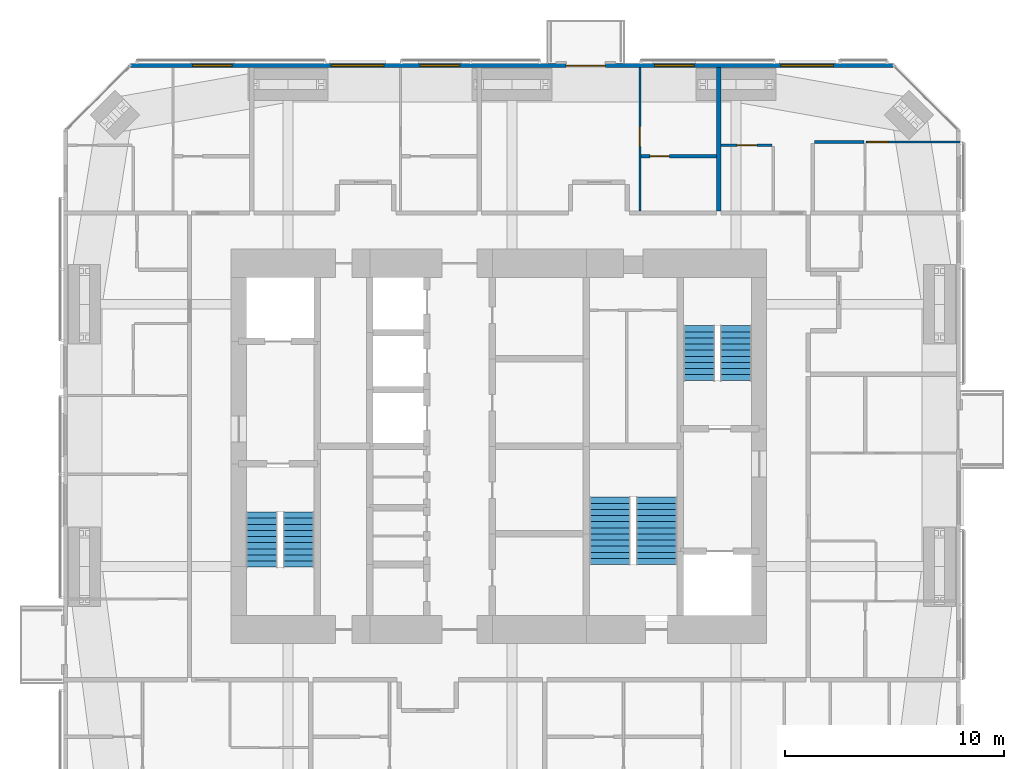
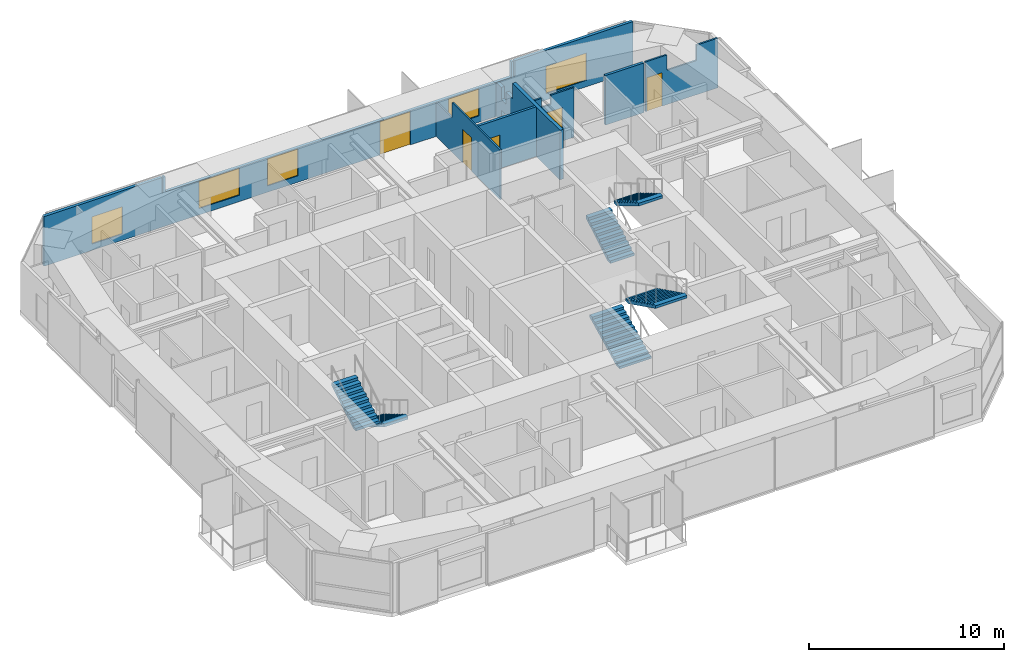
# One storey, part 22 of 23: 7 walls, 6 stair flights, 5 doors, 5 windows, 10 openings, 3 elements without a shape of their own.
"""IFC4 building model written with IfcOpenShell, lengths in metres."""

from ifc_helpers import new_model, si_unit, direction, frame, frame_2d, origin, place, context, subcontext, project, spatial, polyline, rectangle, outline, extrude, material, constituent, constituent_set, type_object, element, fill, aggregate, save


model = new_model("IFC4")

# Units and contexts
model_context = context("Model", 3, precision=1e-05, world=origin(), true_north=direction((0.0, 1.0)))
body_context = subcontext(model_context, "Body", "Model", "MODEL_VIEW")
ifc_project = project(units=[si_unit("LENGTHUNIT", "METRE"), si_unit("AREAUNIT", "SQUARE_METRE"), si_unit("VOLUMEUNIT", "CUBIC_METRE"), si_unit("PLANEANGLEUNIT", "RADIAN"), si_unit("MASSUNIT", "GRAM", prefix="KILO")], contexts=[model_context])

# Site, building, storey
site_placement = place(None, origin())
site = spatial("IfcSite", under=ifc_project, at=site_placement, CompositionType="ELEMENT")
building_placement = place(site_placement, origin())
building = spatial("IfcBuilding", under=site, at=building_placement, Name="Jalousie Tower", CompositionType="ELEMENT")
storey_placement = place(building_placement, frame((0.0, 0.0, 191.199951171875)))
storey = spatial("IfcBuildingStorey", under=building, at=storey_placement, Name="L52", CompositionType="ELEMENT", Elevation=191.199951171875)

# Wall, opening, door
ifc_material_1 = material(Name="Concrete block ASTM C90", Category="concrete")
ifc_constituent_1 = constituent(ifc_material_1, Name="Body")
ifc_material_2 = material(Name="Render")
ifc_constituent_2 = constituent(ifc_material_2, Name="Finish")
ifc_constituent_set_1 = constituent_set(constituents=[ifc_constituent_1, ifc_constituent_2])
wall_type_1 = type_object("IfcWallType", Name="BATHROOM WALL 150", PredefinedType="PLUMBINGWALL", material=ifc_constituent_set_1)
wall_1_placement = place(storey_placement, frame((38.39990234375, 31.77490234375, 0.0), z_axis=(0.0, 0.0, 1.0), x_axis=(1.0, 0.0, 0.0)))
wall_1 = element("IfcWall", 1, at=wall_1_placement, inside=storey, type_object=wall_type_1, Name="Bathroom Wall 150 L52", PredefinedType="PLUMBINGWALL", context=body_context, shape_type="SweptSolid", body=[
    extrude(rectangle(XDim=3.4501953125, YDim=0.14990234375, at=frame_2d((1.72509765625, 0.0))), origin(), (0.0, 0.0, 1.0), 3.110107421875),
])
opening_1_placement = place(wall_1_placement, frame((0.39990234375, 0.0, 0.0)))
opening_1 = element("IfcOpeningElement", 2, at=opening_1_placement, cuts=wall_1, Name="Opening D3", PredefinedType="OPENING", context=body_context, shape_type="SweptSolid", body=[
    extrude(rectangle(XDim=0.89990234375, YDim=2.10009765625, at=frame_2d((0.449951171875, 1.050048828125))), frame((0.0, 0.0849609375, 0.0), z_axis=(0.0, -1.0, 0.0), x_axis=(1.0, 0.0, 0.0)), (0.0, 0.0, 1.0), 0.169921875),
])
ifc_material_3 = material(Name="Timber door", Category="wood")
door_type_1 = type_object("IfcDoorType", Name="BATHROOM DOOR 900", OperationType="SINGLE_SWING_LEFT", PredefinedType="DOOR", material=ifc_material_3)
door_1_placement = place(opening_1_placement, frame((0.89990234375, 0.0, 0.0), z_axis=(0.0, 0.0, 1.0), x_axis=(-1.0, 0.0, 0.0)))
door_1 = element("IfcDoor", 3, at=door_1_placement, inside=storey, type_object=door_type_1, Name="Apartment 5206 bedroom 1 bathroom door", OperationType="SINGLE_SWING_RIGHT", OverallHeight=2.10009765625, OverallWidth=0.89990234375, PredefinedType="DOOR", context=body_context, shape_type="SweptSolid", body=[
    extrude(rectangle(XDim=0.89990234375, YDim=2.10009765625, at=frame_2d((0.449951171875, 1.050048828125))), frame((0.0, 0.02490234375, 0.0), z_axis=(0.0, -1.0, 0.0), x_axis=(1.0, 0.0, 0.0)), (0.0, 0.0, 1.0), 0.050048828125),
])
fill(opening_1, door_1)

# Wall
wall_2_placement = place(storey_placement, frame((46.324951171875, 32.420166015625, 0.0), z_axis=(0.0, 0.0, 1.0), x_axis=(1.0, 0.0, 0.0)))
element("IfcWall", 4, at=wall_2_placement, inside=storey, type_object=wall_type_1, Name="Bathroom Wall 150 L52", PredefinedType="PLUMBINGWALL", context=body_context, shape_type="SweptSolid", body=[
    extrude(rectangle(XDim=2.275146484375, YDim=0.14990234375, at=frame_2d((1.1376953125, 0.0))), origin(), (0.0, 0.0, 1.0), 3.110107421875),
])

# Wall, openings, door, windows
ifc_material_4 = material(Name="Concrete f'c 40 MPa", Category="concrete")
ifc_constituent_3 = constituent(ifc_material_4, Name="Body")
ifc_material_5 = material(Name="Render, pastel lemon")
ifc_constituent_4 = constituent(ifc_material_5, Name="Finish")
ifc_constituent_set_2 = constituent_set(constituents=[ifc_constituent_3, ifc_constituent_4])
wall_type_2 = type_object("IfcWallType", Name="EXTERNAL WALL 175 LEMON RENDER", PredefinedType="SOLIDWALL", material=ifc_constituent_set_2)
wall_3_placement = place(storey_placement, frame((49.94873046875, 35.91259765625, 0.0), z_axis=(0.0, 0.0, 1.0), x_axis=(-1.0, 0.0, 0.0)))
wall_3 = element("IfcWall", 5, at=wall_3_placement, inside=storey, type_object=wall_type_2, Name="External Wall 175 Lemon Render L52", PredefinedType="SOLIDWALL", context=body_context, shape_type="SweptSolid", body=[
    extrude(outline(polyline([(0.0, 0.0), (34.8974609375, 0.0), (34.8974609375, 3.110107421875), (27.91015625, 3.110107421875), (27.91015625, 2.150146484375), (27.8359375, 2.150146484375), (27.8359375, 3.110107421875), (27.69873046875, 3.110107421875), (27.69873046875, 2.150146484375), (7.19873046875, 2.150146484375), (7.19873046875, 3.110107421875), (7.0615234375, 3.110107421875), (7.0615234375, 2.150146484375), (6.9873046875, 2.150146484375), (6.9873046875, 3.110107421875), (0.0, 3.110107421875), (0.0, 0.0)])), frame((0.0, 0.08740234375, 0.0), z_axis=(0.0, -1.0, 0.0), x_axis=(1.0, 0.0, 0.0)), (0.0, 0.0, 1.0), 0.175048828125),
])
opening_2_placement = place(wall_3_placement, frame((2.74951171875, 0.0, 0.39990234375)))
opening_2 = element("IfcOpeningElement", 6, at=opening_2_placement, cuts=wall_3, Name="Opening W-LIV170", PredefinedType="OPENING", context=body_context, shape_type="SweptSolid", body=[
    extrude(rectangle(XDim=2.39990234375, YDim=1.699951171875, at=frame_2d((1.199951171875, 0.85009765625))), frame((0.0, 0.097412109375, 0.0), z_axis=(0.0, -1.0, 0.0), x_axis=(1.0, 0.0, 0.0)), (0.0, 0.0, 1.0), 0.195068359375),
])
opening_3_placement = place(wall_3_placement, frame((9.123779296875, 0.0, 0.39990234375)))
opening_3 = element("IfcOpeningElement", 7, at=opening_3_placement, cuts=wall_3, Name="Opening W-BED170", PredefinedType="OPENING", context=body_context, shape_type="SweptSolid", body=[
    extrude(rectangle(XDim=1.800048828125, YDim=1.699951171875, at=frame_2d((0.89990234375, 0.85009765625))), frame((0.0, 0.097412109375, 0.0), z_axis=(0.0, -1.0, 0.0), x_axis=(1.0, 0.0, 0.0)), (0.0, 0.0, 1.0), 0.195068359375),
])
opening_4_placement = place(wall_3_placement, frame((13.173583984375, 0.0, 0.0)))
opening_4 = element("IfcOpeningElement", 8, at=opening_4_placement, cuts=wall_3, Name="Opening D-BAL21", PredefinedType="OPENING", context=body_context, shape_type="SweptSolid", body=[
    extrude(rectangle(XDim=1.800048828125, YDim=2.10009765625, at=frame_2d((0.89990234375, 1.050048828125))), frame((0.0, 0.097412109375, 0.0), z_axis=(0.0, -1.0, 0.0), x_axis=(1.0, 0.0, 0.0)), (0.0, 0.0, 1.0), 0.195068359375),
])
opening_5_placement = place(wall_3_placement, frame((19.8486328125, 0.0, 0.39990234375)))
opening_5 = element("IfcOpeningElement", 9, at=opening_5_placement, cuts=wall_3, Name="Opening W-BED170", PredefinedType="OPENING", context=body_context, shape_type="SweptSolid", body=[
    extrude(rectangle(XDim=1.800048828125, YDim=1.699951171875, at=frame_2d((0.89990234375, 0.85009765625))), frame((0.0, 0.097412109375, 0.0), z_axis=(0.0, -1.0, 0.0), x_axis=(1.0, 0.0, 0.0)), (0.0, 0.0, 1.0), 0.195068359375),
])
opening_6_placement = place(wall_3_placement, frame((23.3037109375, 0.0, 0.39990234375)))
opening_6 = element("IfcOpeningElement", 10, at=opening_6_placement, cuts=wall_3, Name="Opening W-LIV170", PredefinedType="OPENING", context=body_context, shape_type="SweptSolid", body=[
    extrude(rectangle(XDim=2.39990234375, YDim=1.699951171875, at=frame_2d((1.199951171875, 0.85009765625))), frame((0.0, 0.097412109375, 0.0), z_axis=(0.0, -1.0, 0.0), x_axis=(1.0, 0.0, 0.0)), (0.0, 0.0, 1.0), 0.195068359375),
])
opening_7_placement = place(wall_3_placement, frame((30.248779296875, 0.0, 0.39990234375)))
opening_7 = element("IfcOpeningElement", 11, at=opening_7_placement, cuts=wall_3, Name="Opening W-BED170", PredefinedType="OPENING", context=body_context, shape_type="SweptSolid", body=[
    extrude(rectangle(XDim=1.800048828125, YDim=1.699951171875, at=frame_2d((0.89990234375, 0.85009765625))), frame((0.0, 0.097412109375, 0.0), z_axis=(0.0, -1.0, 0.0), x_axis=(1.0, 0.0, 0.0)), (0.0, 0.0, 1.0), 0.195068359375),
])
ifc_material_6 = material(Name="Aluminium frame, impact-rated glazing", Category="aluminium")
door_type_2 = type_object("IfcDoorType", Name="BALCONY DOOR 1800x2100", OperationType="SLIDING_TO_LEFT", PredefinedType="DOOR", material=ifc_material_6)
door_2_placement = place(opening_4_placement, origin())
door_2 = element("IfcDoor", 12, at=door_2_placement, inside=storey, type_object=door_type_2, Name="Apartment 5206 living, dining and kitchen balcony door", OperationType="SLIDING_TO_LEFT", OverallHeight=2.10009765625, OverallWidth=1.800048828125, PredefinedType="DOOR", context=body_context, shape_type="SweptSolid", body=[
    extrude(rectangle(XDim=1.800048828125, YDim=2.10009765625, at=frame_2d((0.89990234375, 1.050048828125))), frame((0.0, 0.02490234375, 0.0), z_axis=(0.0, -1.0, 0.0), x_axis=(1.0, 0.0, 0.0)), (0.0, 0.0, 1.0), 0.050048828125),
])
fill(opening_4, door_2)
ifc_material_7 = material(Name="Aluminium frame, impact-rated glazing", Category="aluminium")
window_type_1 = type_object("IfcWindowType", Name="WINDOW BED 1800x1700", PartitioningType="SINGLE_PANEL", PredefinedType="WINDOW", material=ifc_material_7)
window_1_placement = place(opening_3_placement, origin())
window_1 = element("IfcWindow", 13, at=window_1_placement, inside=storey, type_object=window_type_1, Name="Apartment 5206 bedroom 1 window", OverallHeight=1.699951171875, OverallWidth=1.800048828125, PartitioningType="SINGLE_PANEL", PredefinedType="WINDOW", context=body_context, shape_type="SweptSolid", body=[
    extrude(rectangle(XDim=1.800048828125, YDim=1.699951171875, at=frame_2d((0.89990234375, 0.85009765625))), frame((0.0, 0.030029296875, 0.0), z_axis=(0.0, -1.0, 0.0), x_axis=(1.0, 0.0, 0.0)), (0.0, 0.0, 1.0), 0.06005859375),
])
fill(opening_3, window_1)
window_2_placement = place(opening_5_placement, origin())
window_2 = element("IfcWindow", 14, at=window_2_placement, inside=storey, type_object=window_type_1, Name="Apartment 5205 bedroom 1 window", OverallHeight=1.699951171875, OverallWidth=1.800048828125, PartitioningType="SINGLE_PANEL", PredefinedType="WINDOW", context=body_context, shape_type="SweptSolid", body=[
    extrude(rectangle(XDim=1.800048828125, YDim=1.699951171875, at=frame_2d((0.89990234375, 0.85009765625))), frame((0.0, 0.030029296875, 0.0), z_axis=(0.0, -1.0, 0.0), x_axis=(1.0, 0.0, 0.0)), (0.0, 0.0, 1.0), 0.06005859375),
])
fill(opening_5, window_2)
window_3_placement = place(opening_7_placement, origin())
window_3 = element("IfcWindow", 15, at=window_3_placement, inside=storey, type_object=window_type_1, Name="Apartment 5204 bedroom 1 window", OverallHeight=1.699951171875, OverallWidth=1.800048828125, PartitioningType="SINGLE_PANEL", PredefinedType="WINDOW", context=body_context, shape_type="SweptSolid", body=[
    extrude(rectangle(XDim=1.800048828125, YDim=1.699951171875, at=frame_2d((0.89990234375, 0.85009765625))), frame((0.0, 0.030029296875, 0.0), z_axis=(0.0, -1.0, 0.0), x_axis=(1.0, 0.0, 0.0)), (0.0, 0.0, 1.0), 0.06005859375),
])
fill(opening_7, window_3)
ifc_material_8 = material(Name="Aluminium frame, impact-rated glazing", Category="aluminium")
window_type_2 = type_object("IfcWindowType", Name="WINDOW LIV 2400x1700", PartitioningType="DOUBLE_PANEL_VERTICAL", PredefinedType="WINDOW", material=ifc_material_8)
window_4_placement = place(opening_2_placement, origin())
window_4 = element("IfcWindow", 16, at=window_4_placement, inside=storey, type_object=window_type_2, Name="Apartment 5207 living and dining room window", OverallHeight=1.699951171875, OverallWidth=2.39990234375, PartitioningType="SINGLE_PANEL", PredefinedType="WINDOW", context=body_context, shape_type="SweptSolid", body=[
    extrude(rectangle(XDim=2.39990234375, YDim=1.699951171875, at=frame_2d((1.199951171875, 0.85009765625))), frame((0.0, 0.030029296875, 0.0), z_axis=(0.0, -1.0, 0.0), x_axis=(1.0, 0.0, 0.0)), (0.0, 0.0, 1.0), 0.06005859375),
])
fill(opening_2, window_4)
window_5_placement = place(opening_6_placement, origin())
window_5 = element("IfcWindow", 17, at=window_5_placement, inside=storey, type_object=window_type_2, Name="Apartment 5205 living, dining and kitchen window", OverallHeight=1.699951171875, OverallWidth=2.39990234375, PartitioningType="SINGLE_PANEL", PredefinedType="WINDOW", context=body_context, shape_type="SweptSolid", body=[
    extrude(rectangle(XDim=2.39990234375, YDim=1.699951171875, at=frame_2d((1.199951171875, 0.85009765625))), frame((0.0, 0.030029296875, 0.0), z_axis=(0.0, -1.0, 0.0), x_axis=(1.0, 0.0, 0.0)), (0.0, 0.0, 1.0), 0.06005859375),
])
fill(opening_6, window_5)

# Wall, opening, door
ifc_material_9 = material(Name="Gypsum board", Category="gypsum")
ifc_constituent_5 = constituent(ifc_material_9, Name="Body")
ifc_material_10 = material(Name="Light-gauge steel studs ASTM A653 SS Grade 33", Category="steel")
ifc_constituent_6 = constituent(ifc_material_10, Name="Framing")
ifc_constituent_set_3 = constituent_set(constituents=[ifc_constituent_5, ifc_constituent_6])
wall_type_3 = type_object("IfcWallType", Name="PARTITION 100", PredefinedType="PARTITIONING", material=ifc_constituent_set_3)
wall_4_placement = place(storey_placement, frame((38.35009765625, 35.824951171875, 0.0), z_axis=(0.0, 0.0, 1.0), x_axis=(0.0, -1.0, 0.0)))
wall_4 = element("IfcWall", 18, at=wall_4_placement, inside=storey, type_object=wall_type_3, Name="Partition 100 L52", PredefinedType="PARTITIONING", context=body_context, shape_type="SweptSolid", body=[
    extrude(outline(polyline([(0.0, 0.0), (6.550048828125, 0.0), (6.550048828125, 3.110107421875), (1.635009765625, 3.110107421875), (1.635009765625, 2.150146484375), (0.0, 2.150146484375), (0.0, 3.110107421875), (0.0, 0.0)])), frame((0.0, 0.050048828125, 0.0), z_axis=(0.0, -1.0, 0.0), x_axis=(1.0, 0.0, 0.0)), (0.0, 0.0, 1.0), 0.10009765625),
])
opening_8_placement = place(wall_4_placement, frame((2.699951171875, 0.0, 0.0)))
opening_8 = element("IfcOpeningElement", 19, at=opening_8_placement, cuts=wall_4, Name="Opening D2", PredefinedType="OPENING", context=body_context, shape_type="SweptSolid", body=[
    extrude(rectangle(XDim=0.89990234375, YDim=2.10009765625, at=frame_2d((0.449951171875, 1.050048828125))), frame((0.0, 0.06005859375, 0.0), z_axis=(0.0, -1.0, 0.0), x_axis=(1.0, 0.0, 0.0)), (0.0, 0.0, 1.0), 0.1201171875),
])
ifc_material_11 = material(Name="Timber door", Category="wood")
door_type_3 = type_object("IfcDoorType", Name="BEDROOM DOOR 900", OperationType="SINGLE_SWING_LEFT", PredefinedType="DOOR", material=ifc_material_11)
door_3_placement = place(opening_8_placement, origin())
door_3 = element("IfcDoor", 20, at=door_3_placement, inside=storey, type_object=door_type_3, Name="Apartment 5206 bedroom 1 door", OperationType="SINGLE_SWING_RIGHT", OverallHeight=2.10009765625, OverallWidth=0.89990234375, PredefinedType="DOOR", context=body_context, shape_type="SweptSolid", body=[
    extrude(rectangle(XDim=0.89990234375, YDim=2.10009765625, at=frame_2d((0.449951171875, 1.050048828125))), frame((0.0, 0.02490234375, 0.0), z_axis=(0.0, -1.0, 0.0), x_axis=(1.0, 0.0, 0.0)), (0.0, 0.0, 1.0), 0.050048828125),
])
fill(opening_8, door_3)

wall_5_placement = place(storey_placement, frame((48.699951171875, 32.420166015625, 0.0), z_axis=(0.0, 0.0, 1.0), x_axis=(1.0, 0.0, 0.0)))
wall_5 = element("IfcWall", 21, at=wall_5_placement, inside=storey, type_object=wall_type_3, Name="Partition 100 L52", PredefinedType="PARTITIONING", context=body_context, shape_type="SweptSolid", body=[
    extrude(outline(polyline([(0.0, 0.0), (4.300048828125, 0.0), (4.300048828125, 3.110107421875), (3.021728515625, 3.110107421875), (3.021728515625, 2.150146484375), (1.279296875, 2.150146484375), (1.279296875, 3.110107421875), (0.0, 3.110107421875), (0.0, 0.0)])), frame((0.0, 0.050048828125, 0.0), z_axis=(0.0, -1.0, 0.0), x_axis=(1.0, 0.0, 0.0)), (0.0, 0.0, 1.0), 0.10009765625),
])
opening_9_placement = place(wall_5_placement, frame((0.10009765625, 0.0, 0.0)))
opening_9 = element("IfcOpeningElement", 22, at=opening_9_placement, cuts=wall_5, Name="Opening D2", PredefinedType="OPENING", context=body_context, shape_type="SweptSolid", body=[
    extrude(rectangle(XDim=0.89990234375, YDim=2.10009765625, at=frame_2d((0.449951171875, 1.050048828125))), frame((0.0, 0.06005859375, 0.0), z_axis=(0.0, -1.0, 0.0), x_axis=(1.0, 0.0, 0.0)), (0.0, 0.0, 1.0), 0.1201171875),
])
door_4_placement = place(opening_9_placement, frame((0.89990234375, 0.0, 0.0), z_axis=(0.0, 0.0, 1.0), x_axis=(-1.0, 0.0, 0.0)))
door_4 = element("IfcDoor", 23, at=door_4_placement, inside=storey, type_object=door_type_3, Name="Apartment 5207 bedroom 1 door", OperationType="SINGLE_SWING_RIGHT", OverallHeight=2.10009765625, OverallWidth=0.89990234375, PredefinedType="DOOR", context=body_context, shape_type="SweptSolid", body=[
    extrude(rectangle(XDim=0.89990234375, YDim=2.10009765625, at=frame_2d((0.449951171875, 1.050048828125))), frame((0.0, 0.02490234375, 0.0), z_axis=(0.0, -1.0, 0.0), x_axis=(1.0, 0.0, 0.0)), (0.0, 0.0, 1.0), 0.050048828125),
])
fill(opening_9, door_4)

wall_6_placement = place(storey_placement, frame((42.050048828125, 32.27490234375, 0.0), z_axis=(0.0, 0.0, 1.0), x_axis=(1.0, 0.0, 0.0)))
wall_6 = element("IfcWall", 24, at=wall_6_placement, inside=storey, type_object=wall_type_3, Name="Partition 100 L52", PredefinedType="PARTITIONING", context=body_context, shape_type="SweptSolid", body=[
    extrude(outline(polyline([(0.0, 0.0), (2.349853515625, 0.0), (2.35009765625, 3.110107421875), (0.9873046875, 3.110107421875), (0.9873046875, 2.541015625), (0.41259765625, 2.541015625), (0.41259765625, 3.110107421875), (0.0, 3.110107421875), (0.0, 0.0)])), frame((0.0, 0.050048828125, 0.0), z_axis=(0.0, -1.0, 0.0), x_axis=(1.0, 0.0, 0.0)), (0.0, 0.0, 1.0), 0.10009765625),
])
opening_10_placement = place(wall_6_placement, frame((0.75, 0.0, 0.0)))
opening_10 = element("IfcOpeningElement", 25, at=opening_10_placement, cuts=wall_6, Name="Opening D7", PredefinedType="OPENING", context=body_context, shape_type="SweptSolid", body=[
    extrude(rectangle(XDim=0.89990234375, YDim=2.10009765625, at=frame_2d((0.449951171875, 1.050048828125))), frame((0.0, 0.06005859375, 0.0), z_axis=(0.0, -1.0, 0.0), x_axis=(1.0, 0.0, 0.0)), (0.0, 0.0, 1.0), 0.1201171875),
])
ifc_material_12 = material(Name="Timber door", Category="wood")
door_type_4 = type_object("IfcDoorType", Name="INTERNAL DOOR 900", OperationType="SINGLE_SWING_LEFT", PredefinedType="DOOR", material=ifc_material_12)
door_5_placement = place(opening_10_placement, origin())
door_5 = element("IfcDoor", 26, at=door_5_placement, inside=storey, type_object=door_type_4, Name="Apartment 5207 kitchen door", OperationType="SINGLE_SWING_LEFT", OverallHeight=2.10009765625, OverallWidth=0.89990234375, PredefinedType="DOOR", context=body_context, shape_type="SweptSolid", body=[
    extrude(rectangle(XDim=0.89990234375, YDim=2.10009765625, at=frame_2d((0.449951171875, 1.050048828125))), frame((0.0, 0.02490234375, 0.0), z_axis=(0.0, -1.0, 0.0), x_axis=(1.0, 0.0, 0.0)), (0.0, 0.0, 1.0), 0.050048828125),
])
fill(opening_10, door_5)

# Wall
ifc_material_13 = material(Name="Concrete block ASTM C90", Category="concrete")
ifc_constituent_7 = constituent(ifc_material_13, Name="Body")
ifc_material_14 = material(Name="Render")
ifc_constituent_8 = constituent(ifc_material_14, Name="Finish")
ifc_constituent_set_4 = constituent_set(constituents=[ifc_constituent_7, ifc_constituent_8])
wall_type_4 = type_object("IfcWallType", Name="PARTY WALL 200", PredefinedType="PARTITIONING", material=ifc_constituent_set_4)
wall_7_placement = place(storey_placement, frame((41.949951171875, 35.824951171875, 0.0), z_axis=(0.0, 0.0, 1.0), x_axis=(0.0, -1.0, 0.0)))
element("IfcWall", 27, at=wall_7_placement, inside=storey, type_object=wall_type_4, Name="Party Wall 200 L52", PredefinedType="PARTITIONING", context=body_context, shape_type="SweptSolid", body=[
    extrude(outline(polyline([(0.52880859375, 2.150146484375), (0.0, 2.150146484375), (0.0, 0.0), (0.52880859375, 0.0), (0.52880859375, 0.746337890625), (1.021240234375, 0.746337890625), (1.021240234375, 0.0), (6.550048828125, 0.0), (6.550048828125, 3.110107421875), (1.68505859375, 3.110107421875), (1.68505859375, 2.150146484375), (1.021240234375, 2.150146484375), (1.021240234375, 1.40380859375), (0.52880859375, 1.40380859375), (0.52880859375, 2.150146484375)])), frame((0.0, 0.10009765625, 0.0), z_axis=(0.0, -1.0, 0.0), x_axis=(1.0, 0.0, 0.0)), (0.0, 0.0, 1.0), 0.199951171875),
])

# Stair, stair flights
ifc_material_15 = material(Name="Concrete f'c 40 MPa", Category="concrete")
stair_type = type_object("IfcStairType", Name="EXIT STAIR", PredefinedType="HALF_TURN_STAIR", material=ifc_material_15)
stair_1_placement = place(storey_placement, origin())
stair_1 = element("IfcStair", 28, at=stair_1_placement, inside=storey, type_object=stair_type, Name="Exit stair A L52", PredefinedType="HALF_TURN_STAIR")
ifc_material_16 = material(Name="Concrete f'c 40 MPa", Category="concrete")
stair_flight_type = type_object("IfcStairFlightType", Name="STAIR FLIGHT", PredefinedType="STRAIGHT", material=ifc_material_16)
stair_flight_1_placement = place(storey_placement, frame((22.737548828125, 15.49755859375, 0.0), z_axis=(0.0, 0.0, 1.0), x_axis=(0.0, -1.0, 0.0)))
stair_flight_1 = element("IfcStairFlight", 29, at=stair_flight_1_placement, type_object=stair_flight_type, Name="ST-A flight 1", NumberOfRisers=10, NumberOfTreads=9, PredefinedType="STRAIGHT", RiserHeight=0.1675, TreadLength=0.28, context=body_context, shape_type="SweptSolid", body=[
    extrude(outline(polyline([(0.0, 0.0), (0.0, 0.16748046875), (0.280029296875, 0.16748046875), (0.280029296875, 0.3349609375), (0.56005859375, 0.3349609375), (0.56005859375, 0.50244140625), (0.840087890625, 0.50244140625), (0.840087890625, 0.669921875), (1.1201171875, 0.669921875), (1.1201171875, 0.83740234375), (1.39990234375, 0.83740234375), (1.39990234375, 1.0048828125), (1.679931640625, 1.0048828125), (1.679931640625, 1.172607421875), (1.9599609375, 1.172607421875), (1.9599609375, 1.340087890625), (2.239990234375, 1.340087890625), (2.239990234375, 1.507568359375), (2.52001953125, 1.507568359375), (2.52001953125, 1.675048828125), (2.52001953125, 1.332763671875), (0.2919921875, 0.0), (0.0, 0.0)])), frame((0.0, 0.71240234375, 0.0), z_axis=(0.0, -1.0, 0.0), x_axis=(1.0, 0.0, 0.0)), (0.0, 0.0, 1.0), 1.425048828125),
])
stair_flight_2_placement = place(storey_placement, frame((21.0625, 12.9775390625, 1.675048828125), z_axis=(0.0, 0.0, 1.0), x_axis=(0.0, 1.0, 0.0)))
stair_flight_2 = element("IfcStairFlight", 30, at=stair_flight_2_placement, type_object=stair_flight_type, Name="ST-A flight 2", NumberOfRisers=10, NumberOfTreads=9, PredefinedType="STRAIGHT", RiserHeight=0.1675, TreadLength=0.28, context=body_context, shape_type="SweptSolid", body=[
    extrude(outline(polyline([(0.0, 0.0), (0.0, 0.16748046875), (0.280029296875, 0.16748046875), (0.280029296875, 0.3349609375), (0.56005859375, 0.3349609375), (0.56005859375, 0.50244140625), (0.840087890625, 0.50244140625), (0.840087890625, 0.669921875), (1.1201171875, 0.669921875), (1.1201171875, 0.83740234375), (1.39990234375, 0.83740234375), (1.39990234375, 1.0048828125), (1.679931640625, 1.0048828125), (1.679931640625, 1.172607421875), (1.9599609375, 1.172607421875), (1.9599609375, 1.340087890625), (2.239990234375, 1.340087890625), (2.239990234375, 1.507568359375), (2.52001953125, 1.507568359375), (2.52001953125, 1.675048828125), (2.52001953125, 1.332763671875), (0.2919921875, 0.0), (0.0, 0.0)])), frame((0.0, 0.71240234375, 0.0), z_axis=(0.0, -1.0, 0.0), x_axis=(1.0, 0.0, 0.0)), (0.0, 0.0, 1.0), 1.425048828125),
])
aggregate(stair_1, [stair_flight_1, stair_flight_2])

stair_2_placement = place(storey_placement, origin())
stair_2 = element("IfcStair", 31, at=stair_2_placement, inside=storey, type_object=stair_type, Name="Exit stair B L52", PredefinedType="HALF_TURN_STAIR")
stair_flight_3_placement = place(storey_placement, frame((41.0625, 21.50244140625, 0.0), z_axis=(0.0, 0.0, 1.0), x_axis=(0.0, 1.0, 0.0)))
stair_flight_3 = element("IfcStairFlight", 32, at=stair_flight_3_placement, type_object=stair_flight_type, Name="ST-B flight 1", NumberOfRisers=10, NumberOfTreads=9, PredefinedType="STRAIGHT", RiserHeight=0.1675, TreadLength=0.28, context=body_context, shape_type="SweptSolid", body=[
    extrude(outline(polyline([(0.0, 0.0), (0.0, 0.16748046875), (0.280029296875, 0.16748046875), (0.280029296875, 0.3349609375), (0.56005859375, 0.3349609375), (0.56005859375, 0.50244140625), (0.840087890625, 0.50244140625), (0.840087890625, 0.669921875), (1.1201171875, 0.669921875), (1.1201171875, 0.83740234375), (1.39990234375, 0.83740234375), (1.39990234375, 1.0048828125), (1.679931640625, 1.0048828125), (1.679931640625, 1.172607421875), (1.9599609375, 1.172607421875), (1.9599609375, 1.340087890625), (2.239990234375, 1.340087890625), (2.239990234375, 1.507568359375), (2.52001953125, 1.507568359375), (2.52001953125, 1.675048828125), (2.52001953125, 1.332763671875), (0.2919921875, 0.0), (0.0, 0.0)])), frame((0.0, 0.71240234375, 0.0), z_axis=(0.0, -1.0, 0.0), x_axis=(1.0, 0.0, 0.0)), (0.0, 0.0, 1.0), 1.425048828125),
])
stair_flight_4_placement = place(storey_placement, frame((42.737548828125, 24.0224609375, 1.675048828125), z_axis=(0.0, 0.0, 1.0), x_axis=(0.0, -1.0, 0.0)))
stair_flight_4 = element("IfcStairFlight", 33, at=stair_flight_4_placement, type_object=stair_flight_type, Name="ST-B flight 2", NumberOfRisers=10, NumberOfTreads=9, PredefinedType="STRAIGHT", RiserHeight=0.1675, TreadLength=0.28, context=body_context, shape_type="SweptSolid", body=[
    extrude(outline(polyline([(0.0, 0.0), (0.0, 0.16748046875), (0.280029296875, 0.16748046875), (0.280029296875, 0.3349609375), (0.56005859375, 0.3349609375), (0.56005859375, 0.50244140625), (0.840087890625, 0.50244140625), (0.840087890625, 0.669921875), (1.1201171875, 0.669921875), (1.1201171875, 0.83740234375), (1.39990234375, 0.83740234375), (1.39990234375, 1.0048828125), (1.679931640625, 1.0048828125), (1.679931640625, 1.172607421875), (1.9599609375, 1.172607421875), (1.9599609375, 1.340087890625), (2.239990234375, 1.340087890625), (2.239990234375, 1.507568359375), (2.52001953125, 1.507568359375), (2.52001953125, 1.675048828125), (2.52001953125, 1.332763671875), (0.2919921875, 0.0), (0.0, 0.0)])), frame((0.0, 0.71240234375, 0.0), z_axis=(0.0, -1.0, 0.0), x_axis=(1.0, 0.0, 0.0)), (0.0, 0.0, 1.0), 1.425048828125),
])
aggregate(stair_2, [stair_flight_3, stair_flight_4])

stair_3_placement = place(storey_placement, origin())
stair_3 = element("IfcStair", 34, at=stair_3_placement, inside=storey, type_object=stair_type, Name="Exit stair C L52", PredefinedType="HALF_TURN_STAIR")
stair_flight_5_placement = place(storey_placement, frame((36.987548828125, 13.097412109375, 0.0), z_axis=(0.0, 0.0, 1.0), x_axis=(0.0, 1.0, 0.0)))
stair_flight_5 = element("IfcStairFlight", 35, at=stair_flight_5_placement, type_object=stair_flight_type, Name="ST-C flight 1", NumberOfRisers=12, NumberOfTreads=11, PredefinedType="STRAIGHT", RiserHeight=0.139583333, TreadLength=0.28, context=body_context, shape_type="SweptSolid", body=[
    extrude(outline(polyline([(0.0, 0.0), (0.0, 0.1396484375), (0.280029296875, 0.1396484375), (0.280029296875, 0.279052734375), (0.56005859375, 0.279052734375), (0.56005859375, 0.418701171875), (0.840087890625, 0.418701171875), (0.840087890625, 0.558349609375), (1.1201171875, 0.558349609375), (1.1201171875, 0.697998046875), (1.39990234375, 0.697998046875), (1.39990234375, 0.83740234375), (1.679931640625, 0.83740234375), (1.679931640625, 0.97705078125), (1.9599609375, 0.97705078125), (1.9599609375, 1.11669921875), (2.239990234375, 1.11669921875), (2.239990234375, 1.25634765625), (2.52001953125, 1.25634765625), (2.52001953125, 1.395751953125), (2.800048828125, 1.395751953125), (2.800048828125, 1.535400390625), (3.080078125, 1.535400390625), (3.080078125, 1.675048828125), (3.080078125, 1.367919921875), (0.3359375, 0.0), (0.0, 0.0)])), frame((0.0, 0.9375, 0.0), z_axis=(0.0, -1.0, 0.0), x_axis=(1.0, 0.0, 0.0)), (0.0, 0.0, 1.0), 1.875),
])
stair_flight_6_placement = place(storey_placement, frame((39.112548828125, 16.177490234375, 1.675048828125), z_axis=(0.0, 0.0, 1.0), x_axis=(0.0, -1.0, 0.0)))
stair_flight_6 = element("IfcStairFlight", 36, at=stair_flight_6_placement, type_object=stair_flight_type, Name="ST-C flight 2", NumberOfRisers=12, NumberOfTreads=11, PredefinedType="STRAIGHT", RiserHeight=0.139583333, TreadLength=0.28, context=body_context, shape_type="SweptSolid", body=[
    extrude(outline(polyline([(0.0, 0.0), (0.0, 0.1396484375), (0.280029296875, 0.1396484375), (0.280029296875, 0.279052734375), (0.56005859375, 0.279052734375), (0.56005859375, 0.418701171875), (0.840087890625, 0.418701171875), (0.840087890625, 0.558349609375), (1.1201171875, 0.558349609375), (1.1201171875, 0.697998046875), (1.39990234375, 0.697998046875), (1.39990234375, 0.83740234375), (1.679931640625, 0.83740234375), (1.679931640625, 0.97705078125), (1.9599609375, 0.97705078125), (1.9599609375, 1.11669921875), (2.239990234375, 1.11669921875), (2.239990234375, 1.25634765625), (2.52001953125, 1.25634765625), (2.52001953125, 1.395751953125), (2.800048828125, 1.395751953125), (2.800048828125, 1.535400390625), (3.080078125, 1.535400390625), (3.080078125, 1.675048828125), (3.080078125, 1.367919921875), (0.3359375, 0.0), (0.0, 0.0)])), frame((0.0, 0.9375, 0.0), z_axis=(0.0, -1.0, 0.0), x_axis=(1.0, 0.0, 0.0)), (0.0, 0.0, 1.0), 1.875),
])
aggregate(stair_3, [stair_flight_5, stair_flight_6])

save(model, "model.ifc")
